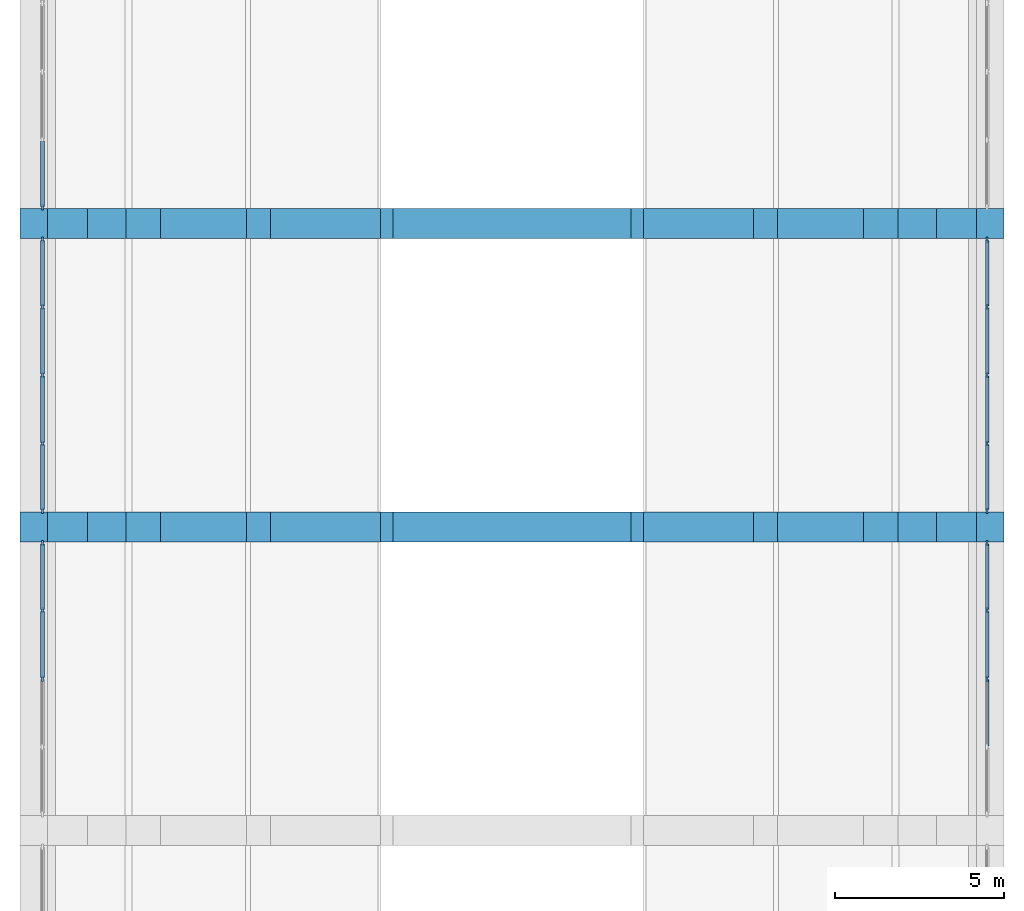
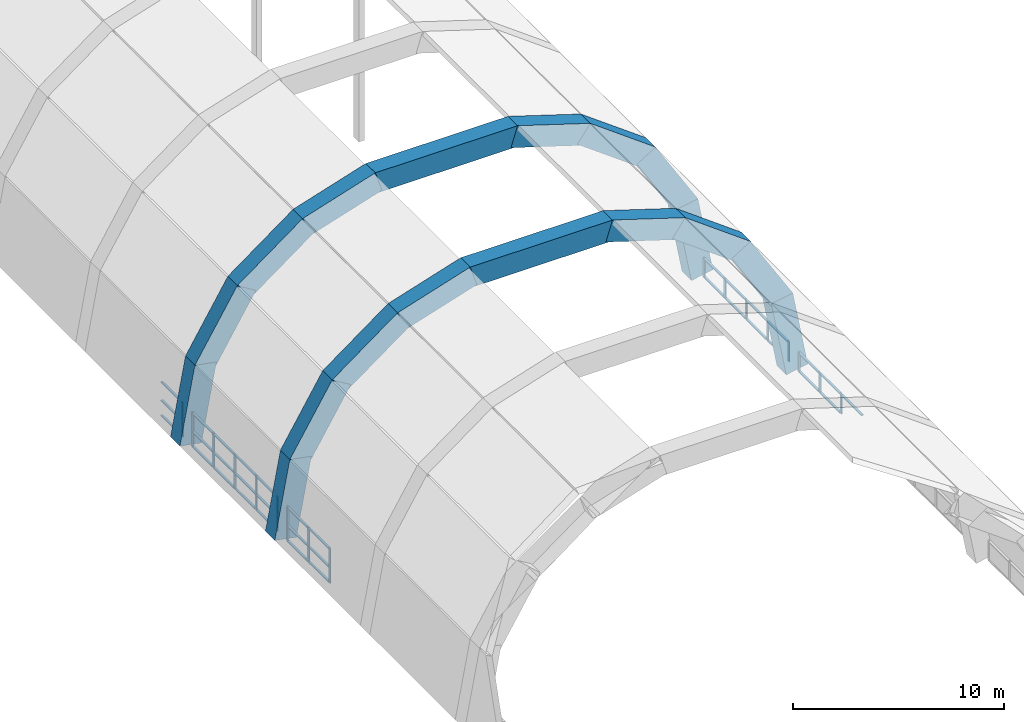
# One storey, part 3 of 8: 51 members, 18 beams, 5 elements without a shape of their own.
"""IFC4 building model written with IfcOpenShell, lengths in metres."""

import ifcopenshell
import ifcopenshell.guid

model = None  # the IFC model being written
_history = None  # IfcOwnerHistory: only IFC2X3 demands one
_inside = {}  # id of a spatial element -> (the spatial element, [elements in it])
_under = {}  # id of a project, library or spatial element -> (it, [spatial elements below it])
_declared = {}  # id of a project -> (the project, [libraries it declares])
_typed = {}  # id of a type object -> (the type object, [elements of that type])
_made_of = {}  # id of a material, layer set ... -> (it, [elements and type objects made of it])


def new_model(schema):
    """Start an empty IFC model of exactly this schema.

    Asked for "IFC4X3", IfcOpenShell would pick the latest addendum, in which some entities
    have other attributes; the version numbers below select the first issue.
    IFC2X3 requires an IfcOwnerHistory on every rooted entity: one is made here for all.
    """
    global model, _history
    if schema == "IFC4X3":
        model = ifcopenshell.file(schema_version=(4, 3, 0, 0))
    else:
        model = ifcopenshell.file(schema=schema)
    _inside.clear()
    _under.clear()
    _declared.clear()
    _typed.clear()
    _made_of.clear()
    _history = None
    if model.schema == "IFC2X3":
        org = make("IfcOrganization", Name="unknown")
        user = make(
            "IfcPersonAndOrganization",
            ThePerson=make("IfcPerson", FamilyName="unknown"),
            TheOrganization=org,
        )
        app = make(
            "IfcApplication",
            ApplicationDeveloper=org,
            Version="unknown",
            ApplicationFullName="unknown",
            ApplicationIdentifier="unknown",
        )
        _history = make(
            "IfcOwnerHistory",
            OwningUser=user,
            OwningApplication=app,
            ChangeAction="ADDED",
            CreationDate=0,
        )
    return model


def make(cls, **values):
    """One entity of the class cls with the attributes given. An attribute that is None is left unset."""
    return model.create_entity(
        cls, **{name: value for name, value in values.items() if value is not None}
    )


def rooted(cls, **values):
    """An entity with a GlobalId (a new one), such as an element, a storey or a relation."""
    return make(cls, GlobalId=ifcopenshell.guid.new(), OwnerHistory=_history, **values)


def si_unit(unit_type, name, prefix=None):
    """IfcSIUnit, for example si_unit("LENGTHUNIT", "METRE", prefix="MILLI")."""
    return make("IfcSIUnit", UnitType=unit_type, Prefix=prefix, Name=name)


def assignment(units):
    """IfcUnitAssignment: the units of a project."""
    return None if units is None else make("IfcUnitAssignment", Units=units)


def point(xyz):
    """IfcCartesianPoint."""
    return None if xyz is None else make("IfcCartesianPoint", Coordinates=xyz)


def direction(xyz):
    """IfcDirection."""
    return None if xyz is None else make("IfcDirection", DirectionRatios=xyz)


def frame(location, z_axis=None, x_axis=None):
    """IfcAxis2Placement3D, a coordinate frame: its origin and axes. An axis left out is left unset."""
    return make(
        "IfcAxis2Placement3D",
        Location=point(location),
        Axis=direction(z_axis),
        RefDirection=direction(x_axis),
    )


def frame_2d(location, x_axis=None):
    """IfcAxis2Placement2D, a coordinate frame in the plane: its origin and x axis."""
    return make(
        "IfcAxis2Placement2D", Location=point(location), RefDirection=direction(x_axis)
    )


def origin():
    """The frame at (0, 0, 0) with its axes left unset."""
    return frame((0.0, 0.0, 0.0))


def origin_2d():
    """The frame at (0, 0) in the plane with its x axis left unset."""
    return frame_2d((0.0, 0.0))


def place(relative_to, where):
    """IfcLocalPlacement: puts the frame where relative to a parent placement (None: the world)."""
    return make(
        "IfcLocalPlacement", PlacementRelTo=relative_to, RelativePlacement=where
    )


def context(
    kind, dimensions, precision=None, world=None, true_north=None, identifier=None
):
    """IfcGeometricRepresentationContext, for example the 3D "Model" context."""
    return make(
        "IfcGeometricRepresentationContext",
        ContextIdentifier=identifier,
        ContextType=kind,
        CoordinateSpaceDimension=dimensions,
        Precision=precision,
        WorldCoordinateSystem=world,
        TrueNorth=true_north,
    )


def subcontext(parent, identifier, kind, view, scale=None):
    """IfcGeometricRepresentationSubContext, for example "Body" below "Model"."""
    return make(
        "IfcGeometricRepresentationSubContext",
        ContextIdentifier=identifier,
        ContextType=kind,
        ParentContext=parent,
        TargetScale=scale,
        TargetView=view,
    )


def project(units=None, contexts=None):
    """IfcProject with its units and contexts."""
    return rooted(
        "IfcProject",
        Name="project",
        RepresentationContexts=contexts,
        UnitsInContext=assignment(units),
    )


def spatial(cls, under=None, at=None, **own):
    """A site, building, storey or space (cls), placed at a placement, below another one or the project."""
    s = rooted(cls, ObjectPlacement=at, **own)
    if under is not None:
        _under.setdefault(under.id(), (under, []))[1].append(s)
    return s


def profile(cls, at=None, kind="AREA", **sizes):
    """A parametric profile (cls). Its sizes go by their IFC names, for example OverallWidth=200.0."""
    return make(cls, ProfileType=kind, Position=at, **sizes)


def rectangle(**sizes):
    """IfcRectangleProfileDef."""
    return profile("IfcRectangleProfileDef", **sizes)


def extrude(swept, where, along, depth):
    """IfcExtrudedAreaSolid: the profile swept, set in the frame where, extruded along a direction by depth."""
    return make(
        "IfcExtrudedAreaSolid",
        SweptArea=swept,
        Position=where,
        ExtrudedDirection=direction(along),
        Depth=depth,
    )


def shape(context_of_items, identifier, shape_type, items):
    """IfcShapeRepresentation: the items that make up one representation, for example the "Body"."""
    return make(
        "IfcShapeRepresentation",
        ContextOfItems=context_of_items,
        RepresentationIdentifier=identifier,
        RepresentationType=shape_type,
        Items=items,
    )


def material(Name=None, Category=None):
    """IfcMaterial."""
    return make("IfcMaterial", Name=Name, Category=Category)


def material_profile(
    of_material, cross_section, Name=None, Category=None, Priority=None
):
    """IfcMaterialProfile: a cross section and its material."""
    return make(
        "IfcMaterialProfile",
        Name=Name,
        Material=of_material,
        Profile=cross_section,
        Priority=Priority,
        Category=Category,
    )


def profile_set(profiles, Name=None, composite=None):
    """IfcMaterialProfileSet."""
    return make(
        "IfcMaterialProfileSet",
        Name=Name,
        MaterialProfiles=profiles,
        CompositeProfile=composite,
    )


def made_of(thing, what):
    """Note that an element or type object is made of a material, layer set ...; save() writes the relation."""
    if what is not None:
        _made_of.setdefault(what.id(), (what, []))[1].append(thing)
    return thing


def type_object(cls, material=None, **own):
    """A type object (cls), such as IfcWallType, which elements share."""
    return made_of(rooted(cls, **own), material)


def element(
    cls,
    number,
    at=None,
    inside=None,
    cuts=None,
    type_object=None,
    material=None,
    context=None,
    identifier="Body",
    shape_type=None,
    held_by="IfcProductDefinitionShape",
    body=None,
    shapes=None,
    **own,
):
    """One element of the class cls, such as IfcWall. Its Tag is "e" and its number.

    at: its placement. inside: the storey or other place that contains it. cuts: it is an
    opening in that element (IfcRelVoidsElement). A single representation is given by context,
    identifier, shape_type and body (its items); several are given by shapes. held_by: the class
    of the entity that holds the representations. save() writes the other relations.
    """
    e = rooted(cls, Tag="e%d" % number, ObjectPlacement=at, **own)
    if body is not None:
        shapes = [shape(context, identifier, shape_type, body)]
    if shapes is not None:
        e.Representation = make(held_by, Representations=shapes)
    if inside is not None:
        _inside.setdefault(inside.id(), (inside, []))[1].append(e)
    if cuts is not None:
        rooted(
            "IfcRelVoidsElement", RelatingBuildingElement=cuts, RelatedOpeningElement=e
        )
    if type_object is not None:
        _typed.setdefault(type_object.id(), (type_object, []))[1].append(e)
    return made_of(e, material)


def aggregate(whole, parts):
    """IfcRelAggregates: a whole, such as a stair, and the parts it consists of."""
    return rooted("IfcRelAggregates", RelatingObject=whole, RelatedObjects=parts)


def save(model, path):
    """Write the relations noted so far, then the file.

    IfcRelAggregates (storeys below a building ...), IfcRelContainedInSpatialStructure (elements
    in a storey), IfcRelDefinesByType, IfcRelAssociatesMaterial and IfcRelDeclares: one each for
    every whole, place, type object, material and project.
    """
    for whole, parts in _under.values():
        aggregate(whole, parts)
    for where, things in _inside.values():
        rooted(
            "IfcRelContainedInSpatialStructure",
            RelatedElements=things,
            RelatingStructure=where,
        )
    for kind, things in _typed.values():
        rooted("IfcRelDefinesByType", RelatedObjects=things, RelatingType=kind)
    for what, things in _made_of.values():
        rooted("IfcRelAssociatesMaterial", RelatedObjects=things, RelatingMaterial=what)
    for by, libraries in _declared.values():
        rooted("IfcRelDeclares", RelatingContext=by, RelatedDefinitions=libraries)
    model.write(path)


model = new_model("IFC4")

# Units and contexts
model_context = context("Model", 3, precision=1e-05, world=origin(), true_north=direction((0.0, 1.0)))
body_context = subcontext(model_context, "Body", "Model", "MODEL_VIEW")
ifc_project = project(units=[si_unit("LENGTHUNIT", "METRE"), si_unit("AREAUNIT", "SQUARE_METRE"), si_unit("VOLUMEUNIT", "CUBIC_METRE"), si_unit("PLANEANGLEUNIT", "RADIAN"), si_unit("MASSUNIT", "GRAM", prefix="KILO")], contexts=[model_context])

# Site, building, storey
site_placement = place(None, origin())
site = spatial("IfcSite", under=ifc_project, at=site_placement, CompositionType="ELEMENT")
building_placement = place(site_placement, origin())
building = spatial("IfcBuilding", under=site, at=building_placement, Name="Elmora Arch Market Hall", CompositionType="ELEMENT")
storey_placement = place(building_placement, frame((0.0, 0.0, 18.60009765625)))
storey = spatial("IfcBuildingStorey", under=building, at=storey_placement, Name="Roof", CompositionType="ELEMENT", Elevation=18.60009765625)

# Beams
ifc_material_1 = material(Name="Concrete C40/50", Category="concrete")
ifc_material_profile_1 = material_profile(ifc_material_1, rectangle(XDim=0.89990234375, YDim=1.199951171875, at=origin_2d()), Name="Arch rib")
ifc_profile_set_1 = profile_set([ifc_material_profile_1], Name="Concrete C40/50")
beam_type = type_object("IfcBeamType", Name="Arch rib", PredefinedType="BEAM", material=ifc_profile_set_1)
beam_1_placement = place(storey_placement, frame((15.0, 63.0, 0.10986328125), z_axis=(0.18332979563, 0.0, 0.983051466625), x_axis=(0.0, 1.0, 0.0)))
element("IfcBeam", 1, at=beam_1_placement, inside=storey, type_object=beam_type, Name="Arch rib 05 segment 1", PredefinedType="BEAM", context=body_context, shape_type="SweptSolid", body=[
    extrude(rectangle(XDim=0.89990234375, YDim=1.199951171875, at=origin_2d()), origin(), (0.0, 0.0, 1.0), 4.474609375),
])
beam_2_placement = place(storey_placement, frame((15.742431640625, 63.0, 4.3056640625), z_axis=(0.52144556852, 0.0, 0.85328454754), x_axis=(0.0, 1.0, 0.0)))
element("IfcBeam", 2, at=beam_2_placement, inside=storey, type_object=beam_type, Name="Arch rib 05 segment 2", PredefinedType="BEAM", context=body_context, shape_type="SweptSolid", body=[
    extrude(rectangle(XDim=0.89990234375, YDim=1.199951171875, at=origin_2d()), origin(), (0.0, 0.0, 1.0), 4.447509765625),
])
beam_3_placement = place(storey_placement, frame((17.905029296875, 63.0, 7.929931640625), z_axis=(0.805622437168, 0.0, 0.592429311168), x_axis=(0.0, 1.0, 0.0)))
element("IfcBeam", 3, at=beam_3_placement, inside=storey, type_object=beam_type, Name="Arch rib 05 segment 3", PredefinedType="BEAM", context=body_context, shape_type="SweptSolid", body=[
    extrude(rectangle(XDim=0.89990234375, YDim=1.199951171875, at=origin_2d()), origin(), (0.0, 0.0, 1.0), 4.4375),
])
beam_4_placement = place(storey_placement, frame((21.30517578125, 63.0, 10.469970703125), z_axis=(0.953579131472, 0.0, 0.30114255764), x_axis=(0.0, 1.0, 0.0)))
element("IfcBeam", 4, at=beam_4_placement, inside=storey, type_object=beam_type, Name="Arch rib 05 segment 4", PredefinedType="BEAM", context=body_context, shape_type="SweptSolid", body=[
    extrude(rectangle(XDim=0.89990234375, YDim=1.199951171875, at=origin_2d()), origin(), (0.0, 0.0, 1.0), 4.1767578125),
])
beam_5_placement = place(storey_placement, frame((25.107421875, 63.0, 11.699951171875), z_axis=(1.0, 0.0, 0.0), x_axis=(0.0, 1.0, 0.0)))
element("IfcBeam", 5, at=beam_5_placement, inside=storey, type_object=beam_type, Name="Arch rib 05 segment 5", PredefinedType="BEAM", context=body_context, shape_type="SweptSolid", body=[
    extrude(rectangle(XDim=0.89990234375, YDim=1.199951171875, at=origin_2d()), origin(), (0.0, 0.0, 1.0), 7.78515625),
])
beam_6_placement = place(storey_placement, frame((32.7119140625, 63.0, 11.727783203125), z_axis=(0.953579131472, 0.0, -0.30114255764), x_axis=(0.0, 1.0, 0.0)))
element("IfcBeam", 6, at=beam_6_placement, inside=storey, type_object=beam_type, Name="Arch rib 05 segment 6", PredefinedType="BEAM", context=body_context, shape_type="SweptSolid", body=[
    extrude(rectangle(XDim=0.89990234375, YDim=1.199951171875, at=origin_2d()), origin(), (0.0, 0.0, 1.0), 4.1767578125),
])
beam_7_placement = place(storey_placement, frame((36.52001953125, 63.0, 10.558837890625), z_axis=(0.805622437168, 0.0, -0.592429311168), x_axis=(0.0, 1.0, 0.0)))
element("IfcBeam", 7, at=beam_7_placement, inside=storey, type_object=beam_type, Name="Arch rib 05 segment 7", PredefinedType="BEAM", context=body_context, shape_type="SweptSolid", body=[
    extrude(rectangle(XDim=0.89990234375, YDim=1.199951171875, at=origin_2d()), origin(), (0.0, 0.0, 1.0), 4.4375),
])
beam_8_placement = place(storey_placement, frame((39.9384765625, 63.0, 8.1005859375), z_axis=(0.52144556852, 0.0, -0.85328454754), x_axis=(0.0, 1.0, 0.0)))
element("IfcBeam", 8, at=beam_8_placement, inside=storey, type_object=beam_type, Name="Arch rib 05 segment 8", PredefinedType="BEAM", context=body_context, shape_type="SweptSolid", body=[
    extrude(rectangle(XDim=0.89990234375, YDim=1.199951171875, at=origin_2d()), origin(), (0.0, 0.0, 1.0), 4.447509765625),
])
for number, where, z_axis, x_axis, name in (
    (9, (42.1796875, 63.0, 4.508544921875), (0.18332979563, 0.0, -0.983051466625), (0.0, 1.0, 0.0), "Arch rib 05 segment 9"),
    (10, (15.0, 72.0, 0.10986328125), (0.18332979563, 0.0, 0.983051466625), (0.0, 1.0, 0.0), "Arch rib 06 segment 1"),
):
    element("IfcBeam", number, at=place(storey_placement, frame(where, z_axis=z_axis, x_axis=x_axis)), inside=storey, type_object=beam_type, Name=name, PredefinedType="BEAM", context=body_context, shape_type="SweptSolid", body=[
        extrude(rectangle(XDim=0.89990234375, YDim=1.199951171875, at=origin_2d()), origin(), (0.0, 0.0, 1.0), 4.474609375),
    ])
beam_9_placement = place(storey_placement, frame((15.742431640625, 72.0, 4.3056640625), z_axis=(0.52144556852, 0.0, 0.85328454754), x_axis=(0.0, 1.0, 0.0)))
element("IfcBeam", 11, at=beam_9_placement, inside=storey, type_object=beam_type, Name="Arch rib 06 segment 2", PredefinedType="BEAM", context=body_context, shape_type="SweptSolid", body=[
    extrude(rectangle(XDim=0.89990234375, YDim=1.199951171875, at=origin_2d()), origin(), (0.0, 0.0, 1.0), 4.447509765625),
])
beam_10_placement = place(storey_placement, frame((17.905029296875, 72.0, 7.929931640625), z_axis=(0.805622437168, 0.0, 0.592429311168), x_axis=(0.0, 1.0, 0.0)))
element("IfcBeam", 12, at=beam_10_placement, inside=storey, type_object=beam_type, Name="Arch rib 06 segment 3", PredefinedType="BEAM", context=body_context, shape_type="SweptSolid", body=[
    extrude(rectangle(XDim=0.89990234375, YDim=1.199951171875, at=origin_2d()), origin(), (0.0, 0.0, 1.0), 4.4375),
])
beam_11_placement = place(storey_placement, frame((21.30517578125, 72.0, 10.469970703125), z_axis=(0.953579131472, 0.0, 0.30114255764), x_axis=(0.0, 1.0, 0.0)))
element("IfcBeam", 13, at=beam_11_placement, inside=storey, type_object=beam_type, Name="Arch rib 06 segment 4", PredefinedType="BEAM", context=body_context, shape_type="SweptSolid", body=[
    extrude(rectangle(XDim=0.89990234375, YDim=1.199951171875, at=origin_2d()), origin(), (0.0, 0.0, 1.0), 4.1767578125),
])
beam_12_placement = place(storey_placement, frame((25.107421875, 72.0, 11.699951171875), z_axis=(1.0, 0.0, 0.0), x_axis=(0.0, 1.0, 0.0)))
element("IfcBeam", 14, at=beam_12_placement, inside=storey, type_object=beam_type, Name="Arch rib 06 segment 5", PredefinedType="BEAM", context=body_context, shape_type="SweptSolid", body=[
    extrude(rectangle(XDim=0.89990234375, YDim=1.199951171875, at=origin_2d()), origin(), (0.0, 0.0, 1.0), 7.78515625),
])
beam_13_placement = place(storey_placement, frame((32.7119140625, 72.0, 11.727783203125), z_axis=(0.953579131472, 0.0, -0.30114255764), x_axis=(0.0, 1.0, 0.0)))
element("IfcBeam", 15, at=beam_13_placement, inside=storey, type_object=beam_type, Name="Arch rib 06 segment 6", PredefinedType="BEAM", context=body_context, shape_type="SweptSolid", body=[
    extrude(rectangle(XDim=0.89990234375, YDim=1.199951171875, at=origin_2d()), origin(), (0.0, 0.0, 1.0), 4.1767578125),
])
beam_14_placement = place(storey_placement, frame((36.52001953125, 72.0, 10.558837890625), z_axis=(0.805622437168, 0.0, -0.592429311168), x_axis=(0.0, 1.0, 0.0)))
element("IfcBeam", 16, at=beam_14_placement, inside=storey, type_object=beam_type, Name="Arch rib 06 segment 7", PredefinedType="BEAM", context=body_context, shape_type="SweptSolid", body=[
    extrude(rectangle(XDim=0.89990234375, YDim=1.199951171875, at=origin_2d()), origin(), (0.0, 0.0, 1.0), 4.4375),
])
beam_15_placement = place(storey_placement, frame((39.9384765625, 72.0, 8.1005859375), z_axis=(0.52144556852, 0.0, -0.85328454754), x_axis=(0.0, 1.0, 0.0)))
element("IfcBeam", 17, at=beam_15_placement, inside=storey, type_object=beam_type, Name="Arch rib 06 segment 8", PredefinedType="BEAM", context=body_context, shape_type="SweptSolid", body=[
    extrude(rectangle(XDim=0.89990234375, YDim=1.199951171875, at=origin_2d()), origin(), (0.0, 0.0, 1.0), 4.447509765625),
])
beam_16_placement = place(storey_placement, frame((42.1796875, 72.0, 4.508544921875), z_axis=(0.18332979563, 0.0, -0.983051466625), x_axis=(0.0, 1.0, 0.0)))
element("IfcBeam", 18, at=beam_16_placement, inside=storey, type_object=beam_type, Name="Arch rib 06 segment 9", PredefinedType="BEAM", context=body_context, shape_type="SweptSolid", body=[
    extrude(rectangle(XDim=0.89990234375, YDim=1.199951171875, at=origin_2d()), origin(), (0.0, 0.0, 1.0), 4.474609375),
])

# Curtain wall, members
ifc_material_2 = material(Name="Aluminium", Category="aluminium")
curtain_wall_type = type_object("IfcCurtainWallType", Name="Clerestory curtain wall", PredefinedType="NOTDEFINED", material=ifc_material_2)
curtain_wall_1_placement = place(storey_placement, origin())
curtain_wall_1 = element("IfcCurtainWall", 19, at=curtain_wall_1_placement, inside=storey, type_object=curtain_wall_type, Name="Hall clerestory W 4", PredefinedType="NOTDEFINED")
ifc_material_3 = material(Name="Aluminium", Category="aluminium")
ifc_material_profile_2 = material_profile(ifc_material_3, rectangle(XDim=0.06005859375, YDim=0.159912109375, at=origin_2d()), Name="AL 60x160")
ifc_profile_set_2 = profile_set([ifc_material_profile_2], Name="Aluminium")
member_type_1 = type_object("IfcMemberType", Name="Mullion 60x160", PredefinedType="MULLION", material=ifc_profile_set_2)
member_1_placement = place(storey_placement, frame((15.080078125, 58.5, 0.0), z_axis=(0.0, 0.0, 1.0), x_axis=(-1.0, 0.0, 0.0)))
member_1 = element("IfcMember", 20, at=member_1_placement, type_object=member_type_1, Name="CW4 mullion 3", PredefinedType="MULLION", context=body_context, shape_type="SweptSolid", body=[
    extrude(rectangle(XDim=0.06005859375, YDim=0.159912109375, at=origin_2d()), origin(), (0.0, 0.0, 1.0), 1.9990234375),
])
member_2_placement = place(storey_placement, frame((15.080078125, 60.52490234375, 0.0), z_axis=(0.0, 0.0, 1.0), x_axis=(-1.0, 0.0, 0.0)))
member_2 = element("IfcMember", 21, at=member_2_placement, type_object=member_type_1, Name="CW4 mullion 4", PredefinedType="MULLION", context=body_context, shape_type="SweptSolid", body=[
    extrude(rectangle(XDim=0.06005859375, YDim=0.159912109375, at=origin_2d()), origin(), (0.0, 0.0, 1.0), 1.9990234375),
])
member_3_placement = place(storey_placement, frame((15.080078125, 62.52001953125, 0.0), z_axis=(0.0, 0.0, 1.0), x_axis=(-1.0, 0.0, 0.0)))
member_3 = element("IfcMember", 22, at=member_3_placement, type_object=member_type_1, Name="CW4 mullion 5", PredefinedType="MULLION", context=body_context, shape_type="SweptSolid", body=[
    extrude(rectangle(XDim=0.06005859375, YDim=0.159912109375, at=origin_2d()), origin(), (0.0, 0.0, 1.0), 1.9990234375),
])

curtain_wall_2_placement = place(storey_placement, origin())
curtain_wall_2 = element("IfcCurtainWall", 23, at=curtain_wall_2_placement, inside=storey, type_object=curtain_wall_type, Name="Hall clerestory W 5", PredefinedType="NOTDEFINED")
member_4_placement = place(storey_placement, frame((15.080078125, 63.47998046875, 0.0), z_axis=(0.0, 0.0, 1.0), x_axis=(-1.0, 0.0, 0.0)))
member_4 = element("IfcMember", 24, at=member_4_placement, type_object=member_type_1, Name="CW4 mullion 1", PredefinedType="MULLION", context=body_context, shape_type="SweptSolid", body=[
    extrude(rectangle(XDim=0.06005859375, YDim=0.159912109375, at=origin_2d()), origin(), (0.0, 0.0, 1.0), 1.9990234375),
])
member_5_placement = place(storey_placement, frame((15.080078125, 65.47509765625, 0.0), z_axis=(0.0, 0.0, 1.0), x_axis=(-1.0, 0.0, 0.0)))
member_5 = element("IfcMember", 25, at=member_5_placement, type_object=member_type_1, Name="CW4 mullion 2", PredefinedType="MULLION", context=body_context, shape_type="SweptSolid", body=[
    extrude(rectangle(XDim=0.06005859375, YDim=0.159912109375, at=origin_2d()), origin(), (0.0, 0.0, 1.0), 1.9990234375),
])
member_6_placement = place(storey_placement, frame((15.080078125, 67.5, 0.0), z_axis=(0.0, 0.0, 1.0), x_axis=(-1.0, 0.0, 0.0)))
member_6 = element("IfcMember", 26, at=member_6_placement, type_object=member_type_1, Name="CW4 mullion 3", PredefinedType="MULLION", context=body_context, shape_type="SweptSolid", body=[
    extrude(rectangle(XDim=0.06005859375, YDim=0.159912109375, at=origin_2d()), origin(), (0.0, 0.0, 1.0), 1.9990234375),
])
member_7_placement = place(storey_placement, frame((15.080078125, 69.52490234375, 0.0), z_axis=(0.0, 0.0, 1.0), x_axis=(-1.0, 0.0, 0.0)))
member_7 = element("IfcMember", 27, at=member_7_placement, type_object=member_type_1, Name="CW4 mullion 4", PredefinedType="MULLION", context=body_context, shape_type="SweptSolid", body=[
    extrude(rectangle(XDim=0.06005859375, YDim=0.159912109375, at=origin_2d()), origin(), (0.0, 0.0, 1.0), 1.9990234375),
])
member_8_placement = place(storey_placement, frame((15.080078125, 71.52001953125, 0.0), z_axis=(0.0, 0.0, 1.0), x_axis=(-1.0, 0.0, 0.0)))
member_8 = element("IfcMember", 28, at=member_8_placement, type_object=member_type_1, Name="CW4 mullion 5", PredefinedType="MULLION", context=body_context, shape_type="SweptSolid", body=[
    extrude(rectangle(XDim=0.06005859375, YDim=0.159912109375, at=origin_2d()), origin(), (0.0, 0.0, 1.0), 1.9990234375),
])

# Curtain wall, member
curtain_wall_3_placement = place(storey_placement, origin())
curtain_wall_3 = element("IfcCurtainWall", 29, at=curtain_wall_3_placement, inside=storey, type_object=curtain_wall_type, Name="Hall clerestory W 6", PredefinedType="NOTDEFINED")
member_9_placement = place(storey_placement, frame((15.080078125, 72.47998046875, 0.0), z_axis=(0.0, 0.0, 1.0), x_axis=(-1.0, 0.0, 0.0)))
member_9 = element("IfcMember", 30, at=member_9_placement, type_object=member_type_1, Name="CW4 mullion 1", PredefinedType="MULLION", context=body_context, shape_type="SweptSolid", body=[
    extrude(rectangle(XDim=0.06005859375, YDim=0.159912109375, at=origin_2d()), origin(), (0.0, 0.0, 1.0), 1.9990234375),
])

# Curtain wall, members
curtain_wall_4_placement = place(storey_placement, origin())
curtain_wall_4 = element("IfcCurtainWall", 31, at=curtain_wall_4_placement, inside=storey, type_object=curtain_wall_type, Name="Hall clerestory E 4", PredefinedType="NOTDEFINED")
member_10_placement = place(storey_placement, frame((43.080078125, 58.5, 0.0), z_axis=(0.0, 0.0, 1.0), x_axis=(-1.0, 0.0, 0.0)))
member_10 = element("IfcMember", 32, at=member_10_placement, type_object=member_type_1, Name="CW4 mullion 3", PredefinedType="MULLION", context=body_context, shape_type="SweptSolid", body=[
    extrude(rectangle(XDim=0.06005859375, YDim=0.159912109375, at=origin_2d()), origin(), (0.0, 0.0, 1.0), 1.140869140625),
])
member_11_placement = place(storey_placement, frame((43.080078125, 60.52490234375, 0.0), z_axis=(0.0, 0.0, 1.0), x_axis=(-1.0, 0.0, 0.0)))
member_11 = element("IfcMember", 33, at=member_11_placement, type_object=member_type_1, Name="CW4 mullion 4", PredefinedType="MULLION", context=body_context, shape_type="SweptSolid", body=[
    extrude(rectangle(XDim=0.06005859375, YDim=0.159912109375, at=origin_2d()), origin(), (0.0, 0.0, 1.0), 1.140869140625),
])
member_12_placement = place(storey_placement, frame((43.080078125, 62.52001953125, 0.0), z_axis=(0.0, 0.0, 1.0), x_axis=(-1.0, 0.0, 0.0)))
member_12 = element("IfcMember", 34, at=member_12_placement, type_object=member_type_1, Name="CW4 mullion 5", PredefinedType="MULLION", context=body_context, shape_type="SweptSolid", body=[
    extrude(rectangle(XDim=0.06005859375, YDim=0.159912109375, at=origin_2d()), origin(), (0.0, 0.0, 1.0), 1.140869140625),
])

curtain_wall_5_placement = place(storey_placement, origin())
curtain_wall_5 = element("IfcCurtainWall", 35, at=curtain_wall_5_placement, inside=storey, type_object=curtain_wall_type, Name="Hall clerestory E 5", PredefinedType="NOTDEFINED")
member_13_placement = place(storey_placement, frame((43.080078125, 63.47998046875, 0.0), z_axis=(0.0, 0.0, 1.0), x_axis=(-1.0, 0.0, 0.0)))
member_13 = element("IfcMember", 36, at=member_13_placement, type_object=member_type_1, Name="CW4 mullion 1", PredefinedType="MULLION", context=body_context, shape_type="SweptSolid", body=[
    extrude(rectangle(XDim=0.06005859375, YDim=0.159912109375, at=origin_2d()), origin(), (0.0, 0.0, 1.0), 1.140869140625),
])
member_14_placement = place(storey_placement, frame((43.080078125, 65.47509765625, 0.0), z_axis=(0.0, 0.0, 1.0), x_axis=(-1.0, 0.0, 0.0)))
member_14 = element("IfcMember", 37, at=member_14_placement, type_object=member_type_1, Name="CW4 mullion 2", PredefinedType="MULLION", context=body_context, shape_type="SweptSolid", body=[
    extrude(rectangle(XDim=0.06005859375, YDim=0.159912109375, at=origin_2d()), origin(), (0.0, 0.0, 1.0), 1.140869140625),
])
member_15_placement = place(storey_placement, frame((43.080078125, 67.5, 0.0), z_axis=(0.0, 0.0, 1.0), x_axis=(-1.0, 0.0, 0.0)))
member_15 = element("IfcMember", 38, at=member_15_placement, type_object=member_type_1, Name="CW4 mullion 3", PredefinedType="MULLION", context=body_context, shape_type="SweptSolid", body=[
    extrude(rectangle(XDim=0.06005859375, YDim=0.159912109375, at=origin_2d()), origin(), (0.0, 0.0, 1.0), 1.140869140625),
])
member_16_placement = place(storey_placement, frame((43.080078125, 69.52490234375, 0.0), z_axis=(0.0, 0.0, 1.0), x_axis=(-1.0, 0.0, 0.0)))
member_16 = element("IfcMember", 39, at=member_16_placement, type_object=member_type_1, Name="CW4 mullion 4", PredefinedType="MULLION", context=body_context, shape_type="SweptSolid", body=[
    extrude(rectangle(XDim=0.06005859375, YDim=0.159912109375, at=origin_2d()), origin(), (0.0, 0.0, 1.0), 1.140869140625),
])
member_17_placement = place(storey_placement, frame((43.080078125, 71.52001953125, 0.0), z_axis=(0.0, 0.0, 1.0), x_axis=(-1.0, 0.0, 0.0)))
member_17 = element("IfcMember", 40, at=member_17_placement, type_object=member_type_1, Name="CW4 mullion 5", PredefinedType="MULLION", context=body_context, shape_type="SweptSolid", body=[
    extrude(rectangle(XDim=0.06005859375, YDim=0.159912109375, at=origin_2d()), origin(), (0.0, 0.0, 1.0), 1.140869140625),
])

# Member
ifc_material_4 = material(Name="Aluminium", Category="aluminium")
ifc_material_profile_3 = material_profile(ifc_material_4, rectangle(XDim=0.1201171875, YDim=0.06005859375, at=origin_2d()), Name="AL 120x60")
ifc_profile_set_3 = profile_set([ifc_material_profile_3], Name="Aluminium")
member_type_2 = type_object("IfcMemberType", Name="Transom 120x60", PredefinedType="USERDEFINED", material=ifc_profile_set_3)
member_18_placement = place(storey_placement, frame((15.080078125, 58.530029296875, 0.02978515625), z_axis=(0.0, 1.0, 0.0), x_axis=(-1.0, 0.0, 0.0)))
member_18 = element("IfcMember", 41, at=member_18_placement, type_object=member_type_2, Name="CW4 transom 3.1", ObjectType="TRANSOM", PredefinedType="USERDEFINED", context=body_context, shape_type="SweptSolid", body=[
    extrude(rectangle(XDim=0.1201171875, YDim=0.06005859375, at=origin_2d()), origin(), (0.0, 0.0, 1.0), 1.965087890625),
])

member_19_placement = place(storey_placement, frame((15.080078125, 58.530029296875, 0.89990234375), z_axis=(0.0, 1.0, 0.0), x_axis=(-1.0, 0.0, 0.0)))
member_19 = element("IfcMember", 42, at=member_19_placement, type_object=member_type_2, Name="CW4 transom 3.2", ObjectType="TRANSOM", PredefinedType="USERDEFINED", context=body_context, shape_type="SweptSolid", body=[
    extrude(rectangle(XDim=0.1201171875, YDim=0.06005859375, at=origin_2d()), origin(), (0.0, 0.0, 1.0), 1.965087890625),
])

member_20_placement = place(storey_placement, frame((15.080078125, 58.530029296875, 1.968994140625), z_axis=(0.0, 1.0, 0.0), x_axis=(-1.0, 0.0, 0.0)))
member_20 = element("IfcMember", 43, at=member_20_placement, type_object=member_type_2, Name="CW4 transom 3.3", ObjectType="TRANSOM", PredefinedType="USERDEFINED", context=body_context, shape_type="SweptSolid", body=[
    extrude(rectangle(XDim=0.1201171875, YDim=0.06005859375, at=origin_2d()), origin(), (0.0, 0.0, 1.0), 1.965087890625),
])

member_21_placement = place(storey_placement, frame((15.080078125, 60.554931640625, 0.02978515625), z_axis=(0.0, 1.0, 0.0), x_axis=(-1.0, 0.0, 0.0)))
member_21 = element("IfcMember", 44, at=member_21_placement, type_object=member_type_2, Name="CW4 transom 4.1", ObjectType="TRANSOM", PredefinedType="USERDEFINED", context=body_context, shape_type="SweptSolid", body=[
    extrude(rectangle(XDim=0.1201171875, YDim=0.06005859375, at=origin_2d()), origin(), (0.0, 0.0, 1.0), 1.93505859375),
])

member_22_placement = place(storey_placement, frame((15.080078125, 60.554931640625, 0.89990234375), z_axis=(0.0, 1.0, 0.0), x_axis=(-1.0, 0.0, 0.0)))
member_22 = element("IfcMember", 45, at=member_22_placement, type_object=member_type_2, Name="CW4 transom 4.2", ObjectType="TRANSOM", PredefinedType="USERDEFINED", context=body_context, shape_type="SweptSolid", body=[
    extrude(rectangle(XDim=0.1201171875, YDim=0.06005859375, at=origin_2d()), origin(), (0.0, 0.0, 1.0), 1.93505859375),
])

member_23_placement = place(storey_placement, frame((15.080078125, 60.554931640625, 1.968994140625), z_axis=(0.0, 1.0, 0.0), x_axis=(-1.0, 0.0, 0.0)))
member_23 = element("IfcMember", 46, at=member_23_placement, type_object=member_type_2, Name="CW4 transom 4.3", ObjectType="TRANSOM", PredefinedType="USERDEFINED", context=body_context, shape_type="SweptSolid", body=[
    extrude(rectangle(XDim=0.1201171875, YDim=0.06005859375, at=origin_2d()), origin(), (0.0, 0.0, 1.0), 1.93505859375),
])

aggregate(curtain_wall_1, [member_1, member_2, member_3, member_18, member_19, member_20, member_21, member_22, member_23])

member_24_placement = place(storey_placement, frame((15.080078125, 63.510009765625, 0.02978515625), z_axis=(0.0, 1.0, 0.0), x_axis=(-1.0, 0.0, 0.0)))
member_24 = element("IfcMember", 47, at=member_24_placement, type_object=member_type_2, Name="CW4 transom 1.1", ObjectType="TRANSOM", PredefinedType="USERDEFINED", context=body_context, shape_type="SweptSolid", body=[
    extrude(rectangle(XDim=0.1201171875, YDim=0.06005859375, at=origin_2d()), origin(), (0.0, 0.0, 1.0), 1.93505859375),
])

member_25_placement = place(storey_placement, frame((15.080078125, 63.510009765625, 0.89990234375), z_axis=(0.0, 1.0, 0.0), x_axis=(-1.0, 0.0, 0.0)))
member_25 = element("IfcMember", 48, at=member_25_placement, type_object=member_type_2, Name="CW4 transom 1.2", ObjectType="TRANSOM", PredefinedType="USERDEFINED", context=body_context, shape_type="SweptSolid", body=[
    extrude(rectangle(XDim=0.1201171875, YDim=0.06005859375, at=origin_2d()), origin(), (0.0, 0.0, 1.0), 1.93505859375),
])

member_26_placement = place(storey_placement, frame((15.080078125, 63.510009765625, 1.968994140625), z_axis=(0.0, 1.0, 0.0), x_axis=(-1.0, 0.0, 0.0)))
member_26 = element("IfcMember", 49, at=member_26_placement, type_object=member_type_2, Name="CW4 transom 1.3", ObjectType="TRANSOM", PredefinedType="USERDEFINED", context=body_context, shape_type="SweptSolid", body=[
    extrude(rectangle(XDim=0.1201171875, YDim=0.06005859375, at=origin_2d()), origin(), (0.0, 0.0, 1.0), 1.93505859375),
])

member_27_placement = place(storey_placement, frame((15.080078125, 65.5048828125, 0.02978515625), z_axis=(0.0, 1.0, 0.0), x_axis=(-1.0, 0.0, 0.0)))
member_27 = element("IfcMember", 50, at=member_27_placement, type_object=member_type_2, Name="CW4 transom 2.1", ObjectType="TRANSOM", PredefinedType="USERDEFINED", context=body_context, shape_type="SweptSolid", body=[
    extrude(rectangle(XDim=0.1201171875, YDim=0.06005859375, at=origin_2d()), origin(), (0.0, 0.0, 1.0), 1.965087890625),
])

member_28_placement = place(storey_placement, frame((15.080078125, 65.5048828125, 0.89990234375), z_axis=(0.0, 1.0, 0.0), x_axis=(-1.0, 0.0, 0.0)))
member_28 = element("IfcMember", 51, at=member_28_placement, type_object=member_type_2, Name="CW4 transom 2.2", ObjectType="TRANSOM", PredefinedType="USERDEFINED", context=body_context, shape_type="SweptSolid", body=[
    extrude(rectangle(XDim=0.1201171875, YDim=0.06005859375, at=origin_2d()), origin(), (0.0, 0.0, 1.0), 1.965087890625),
])

member_29_placement = place(storey_placement, frame((15.080078125, 65.5048828125, 1.968994140625), z_axis=(0.0, 1.0, 0.0), x_axis=(-1.0, 0.0, 0.0)))
member_29 = element("IfcMember", 52, at=member_29_placement, type_object=member_type_2, Name="CW4 transom 2.3", ObjectType="TRANSOM", PredefinedType="USERDEFINED", context=body_context, shape_type="SweptSolid", body=[
    extrude(rectangle(XDim=0.1201171875, YDim=0.06005859375, at=origin_2d()), origin(), (0.0, 0.0, 1.0), 1.965087890625),
])

member_30_placement = place(storey_placement, frame((15.080078125, 67.530029296875, 0.02978515625), z_axis=(0.0, 1.0, 0.0), x_axis=(-1.0, 0.0, 0.0)))
member_30 = element("IfcMember", 53, at=member_30_placement, type_object=member_type_2, Name="CW4 transom 3.1", ObjectType="TRANSOM", PredefinedType="USERDEFINED", context=body_context, shape_type="SweptSolid", body=[
    extrude(rectangle(XDim=0.1201171875, YDim=0.06005859375, at=origin_2d()), origin(), (0.0, 0.0, 1.0), 1.965087890625),
])

member_31_placement = place(storey_placement, frame((15.080078125, 67.530029296875, 0.89990234375), z_axis=(0.0, 1.0, 0.0), x_axis=(-1.0, 0.0, 0.0)))
member_31 = element("IfcMember", 54, at=member_31_placement, type_object=member_type_2, Name="CW4 transom 3.2", ObjectType="TRANSOM", PredefinedType="USERDEFINED", context=body_context, shape_type="SweptSolid", body=[
    extrude(rectangle(XDim=0.1201171875, YDim=0.06005859375, at=origin_2d()), origin(), (0.0, 0.0, 1.0), 1.965087890625),
])

member_32_placement = place(storey_placement, frame((15.080078125, 67.530029296875, 1.968994140625), z_axis=(0.0, 1.0, 0.0), x_axis=(-1.0, 0.0, 0.0)))
member_32 = element("IfcMember", 55, at=member_32_placement, type_object=member_type_2, Name="CW4 transom 3.3", ObjectType="TRANSOM", PredefinedType="USERDEFINED", context=body_context, shape_type="SweptSolid", body=[
    extrude(rectangle(XDim=0.1201171875, YDim=0.06005859375, at=origin_2d()), origin(), (0.0, 0.0, 1.0), 1.965087890625),
])

member_33_placement = place(storey_placement, frame((15.080078125, 69.554931640625, 0.02978515625), z_axis=(0.0, 1.0, 0.0), x_axis=(-1.0, 0.0, 0.0)))
member_33 = element("IfcMember", 56, at=member_33_placement, type_object=member_type_2, Name="CW4 transom 4.1", ObjectType="TRANSOM", PredefinedType="USERDEFINED", context=body_context, shape_type="SweptSolid", body=[
    extrude(rectangle(XDim=0.1201171875, YDim=0.06005859375, at=origin_2d()), origin(), (0.0, 0.0, 1.0), 1.93505859375),
])

member_34_placement = place(storey_placement, frame((15.080078125, 69.554931640625, 0.89990234375), z_axis=(0.0, 1.0, 0.0), x_axis=(-1.0, 0.0, 0.0)))
member_34 = element("IfcMember", 57, at=member_34_placement, type_object=member_type_2, Name="CW4 transom 4.2", ObjectType="TRANSOM", PredefinedType="USERDEFINED", context=body_context, shape_type="SweptSolid", body=[
    extrude(rectangle(XDim=0.1201171875, YDim=0.06005859375, at=origin_2d()), origin(), (0.0, 0.0, 1.0), 1.93505859375),
])

member_35_placement = place(storey_placement, frame((15.080078125, 69.554931640625, 1.968994140625), z_axis=(0.0, 1.0, 0.0), x_axis=(-1.0, 0.0, 0.0)))
member_35 = element("IfcMember", 58, at=member_35_placement, type_object=member_type_2, Name="CW4 transom 4.3", ObjectType="TRANSOM", PredefinedType="USERDEFINED", context=body_context, shape_type="SweptSolid", body=[
    extrude(rectangle(XDim=0.1201171875, YDim=0.06005859375, at=origin_2d()), origin(), (0.0, 0.0, 1.0), 1.93505859375),
])

aggregate(curtain_wall_2, [member_4, member_5, member_6, member_7, member_8, member_24, member_25, member_26, member_27, member_28, member_29, member_30, member_31, member_32, member_33, member_34, member_35])

member_36_placement = place(storey_placement, frame((15.080078125, 72.510009765625, 0.02978515625), z_axis=(0.0, 1.0, 0.0), x_axis=(-1.0, 0.0, 0.0)))
member_36 = element("IfcMember", 59, at=member_36_placement, type_object=member_type_2, Name="CW4 transom 1.1", ObjectType="TRANSOM", PredefinedType="USERDEFINED", context=body_context, shape_type="SweptSolid", body=[
    extrude(rectangle(XDim=0.1201171875, YDim=0.06005859375, at=origin_2d()), origin(), (0.0, 0.0, 1.0), 1.93505859375),
])

member_37_placement = place(storey_placement, frame((15.080078125, 72.510009765625, 0.89990234375), z_axis=(0.0, 1.0, 0.0), x_axis=(-1.0, 0.0, 0.0)))
member_37 = element("IfcMember", 60, at=member_37_placement, type_object=member_type_2, Name="CW4 transom 1.2", ObjectType="TRANSOM", PredefinedType="USERDEFINED", context=body_context, shape_type="SweptSolid", body=[
    extrude(rectangle(XDim=0.1201171875, YDim=0.06005859375, at=origin_2d()), origin(), (0.0, 0.0, 1.0), 1.93505859375),
])

member_38_placement = place(storey_placement, frame((15.080078125, 72.510009765625, 1.968994140625), z_axis=(0.0, 1.0, 0.0), x_axis=(-1.0, 0.0, 0.0)))
member_38 = element("IfcMember", 61, at=member_38_placement, type_object=member_type_2, Name="CW4 transom 1.3", ObjectType="TRANSOM", PredefinedType="USERDEFINED", context=body_context, shape_type="SweptSolid", body=[
    extrude(rectangle(XDim=0.1201171875, YDim=0.06005859375, at=origin_2d()), origin(), (0.0, 0.0, 1.0), 1.93505859375),
])

aggregate(curtain_wall_3, [member_9, member_36, member_37, member_38])

member_39_placement = place(storey_placement, frame((43.080078125, 56.5048828125, 1.11083984375), z_axis=(0.0, 1.0, 0.0), x_axis=(-1.0, 0.0, 0.0)))
member_39 = element("IfcMember", 62, at=member_39_placement, type_object=member_type_2, Name="CW4 transom 2.2", ObjectType="TRANSOM", PredefinedType="USERDEFINED", context=body_context, shape_type="SweptSolid", body=[
    extrude(rectangle(XDim=0.1201171875, YDim=0.06005859375, at=origin_2d()), origin(), (0.0, 0.0, 1.0), 1.965087890625),
])

member_40_placement = place(storey_placement, frame((43.080078125, 58.530029296875, 0.02978515625), z_axis=(0.0, 1.0, 0.0), x_axis=(-1.0, 0.0, 0.0)))
member_40 = element("IfcMember", 63, at=member_40_placement, type_object=member_type_2, Name="CW4 transom 3.1", ObjectType="TRANSOM", PredefinedType="USERDEFINED", context=body_context, shape_type="SweptSolid", body=[
    extrude(rectangle(XDim=0.1201171875, YDim=0.06005859375, at=origin_2d()), origin(), (0.0, 0.0, 1.0), 1.965087890625),
])

member_41_placement = place(storey_placement, frame((43.080078125, 58.530029296875, 1.11083984375), z_axis=(0.0, 1.0, 0.0), x_axis=(-1.0, 0.0, 0.0)))
member_41 = element("IfcMember", 64, at=member_41_placement, type_object=member_type_2, Name="CW4 transom 3.2", ObjectType="TRANSOM", PredefinedType="USERDEFINED", context=body_context, shape_type="SweptSolid", body=[
    extrude(rectangle(XDim=0.1201171875, YDim=0.06005859375, at=origin_2d()), origin(), (0.0, 0.0, 1.0), 1.965087890625),
])

member_42_placement = place(storey_placement, frame((43.080078125, 60.554931640625, 0.02978515625), z_axis=(0.0, 1.0, 0.0), x_axis=(-1.0, 0.0, 0.0)))
member_42 = element("IfcMember", 65, at=member_42_placement, type_object=member_type_2, Name="CW4 transom 4.1", ObjectType="TRANSOM", PredefinedType="USERDEFINED", context=body_context, shape_type="SweptSolid", body=[
    extrude(rectangle(XDim=0.1201171875, YDim=0.06005859375, at=origin_2d()), origin(), (0.0, 0.0, 1.0), 1.93505859375),
])

member_43_placement = place(storey_placement, frame((43.080078125, 60.554931640625, 1.11083984375), z_axis=(0.0, 1.0, 0.0), x_axis=(-1.0, 0.0, 0.0)))
member_43 = element("IfcMember", 66, at=member_43_placement, type_object=member_type_2, Name="CW4 transom 4.2", ObjectType="TRANSOM", PredefinedType="USERDEFINED", context=body_context, shape_type="SweptSolid", body=[
    extrude(rectangle(XDim=0.1201171875, YDim=0.06005859375, at=origin_2d()), origin(), (0.0, 0.0, 1.0), 1.93505859375),
])

aggregate(curtain_wall_4, [member_10, member_11, member_12, member_39, member_40, member_41, member_42, member_43])

member_44_placement = place(storey_placement, frame((43.080078125, 63.510009765625, 0.02978515625), z_axis=(0.0, 1.0, 0.0), x_axis=(-1.0, 0.0, 0.0)))
member_44 = element("IfcMember", 67, at=member_44_placement, type_object=member_type_2, Name="CW4 transom 1.1", ObjectType="TRANSOM", PredefinedType="USERDEFINED", context=body_context, shape_type="SweptSolid", body=[
    extrude(rectangle(XDim=0.1201171875, YDim=0.06005859375, at=origin_2d()), origin(), (0.0, 0.0, 1.0), 1.93505859375),
])

member_45_placement = place(storey_placement, frame((43.080078125, 63.510009765625, 1.11083984375), z_axis=(0.0, 1.0, 0.0), x_axis=(-1.0, 0.0, 0.0)))
member_45 = element("IfcMember", 68, at=member_45_placement, type_object=member_type_2, Name="CW4 transom 1.2", ObjectType="TRANSOM", PredefinedType="USERDEFINED", context=body_context, shape_type="SweptSolid", body=[
    extrude(rectangle(XDim=0.1201171875, YDim=0.06005859375, at=origin_2d()), origin(), (0.0, 0.0, 1.0), 1.93505859375),
])

member_46_placement = place(storey_placement, frame((43.080078125, 65.5048828125, 0.02978515625), z_axis=(0.0, 1.0, 0.0), x_axis=(-1.0, 0.0, 0.0)))
member_46 = element("IfcMember", 69, at=member_46_placement, type_object=member_type_2, Name="CW4 transom 2.1", ObjectType="TRANSOM", PredefinedType="USERDEFINED", context=body_context, shape_type="SweptSolid", body=[
    extrude(rectangle(XDim=0.1201171875, YDim=0.06005859375, at=origin_2d()), origin(), (0.0, 0.0, 1.0), 1.965087890625),
])

member_47_placement = place(storey_placement, frame((43.080078125, 65.5048828125, 1.11083984375), z_axis=(0.0, 1.0, 0.0), x_axis=(-1.0, 0.0, 0.0)))
member_47 = element("IfcMember", 70, at=member_47_placement, type_object=member_type_2, Name="CW4 transom 2.2", ObjectType="TRANSOM", PredefinedType="USERDEFINED", context=body_context, shape_type="SweptSolid", body=[
    extrude(rectangle(XDim=0.1201171875, YDim=0.06005859375, at=origin_2d()), origin(), (0.0, 0.0, 1.0), 1.965087890625),
])

member_48_placement = place(storey_placement, frame((43.080078125, 67.530029296875, 0.02978515625), z_axis=(0.0, 1.0, 0.0), x_axis=(-1.0, 0.0, 0.0)))
member_48 = element("IfcMember", 71, at=member_48_placement, type_object=member_type_2, Name="CW4 transom 3.1", ObjectType="TRANSOM", PredefinedType="USERDEFINED", context=body_context, shape_type="SweptSolid", body=[
    extrude(rectangle(XDim=0.1201171875, YDim=0.06005859375, at=origin_2d()), origin(), (0.0, 0.0, 1.0), 1.965087890625),
])

member_49_placement = place(storey_placement, frame((43.080078125, 67.530029296875, 1.11083984375), z_axis=(0.0, 1.0, 0.0), x_axis=(-1.0, 0.0, 0.0)))
member_49 = element("IfcMember", 72, at=member_49_placement, type_object=member_type_2, Name="CW4 transom 3.2", ObjectType="TRANSOM", PredefinedType="USERDEFINED", context=body_context, shape_type="SweptSolid", body=[
    extrude(rectangle(XDim=0.1201171875, YDim=0.06005859375, at=origin_2d()), origin(), (0.0, 0.0, 1.0), 1.965087890625),
])

member_50_placement = place(storey_placement, frame((43.080078125, 69.554931640625, 0.02978515625), z_axis=(0.0, 1.0, 0.0), x_axis=(-1.0, 0.0, 0.0)))
member_50 = element("IfcMember", 73, at=member_50_placement, type_object=member_type_2, Name="CW4 transom 4.1", ObjectType="TRANSOM", PredefinedType="USERDEFINED", context=body_context, shape_type="SweptSolid", body=[
    extrude(rectangle(XDim=0.1201171875, YDim=0.06005859375, at=origin_2d()), origin(), (0.0, 0.0, 1.0), 1.93505859375),
])

member_51_placement = place(storey_placement, frame((43.080078125, 69.554931640625, 1.11083984375), z_axis=(0.0, 1.0, 0.0), x_axis=(-1.0, 0.0, 0.0)))
member_51 = element("IfcMember", 74, at=member_51_placement, type_object=member_type_2, Name="CW4 transom 4.2", ObjectType="TRANSOM", PredefinedType="USERDEFINED", context=body_context, shape_type="SweptSolid", body=[
    extrude(rectangle(XDim=0.1201171875, YDim=0.06005859375, at=origin_2d()), origin(), (0.0, 0.0, 1.0), 1.93505859375),
])

aggregate(curtain_wall_5, [member_13, member_14, member_15, member_16, member_17, member_44, member_45, member_46, member_47, member_48, member_49, member_50, member_51])

save(model, "model.ifc")
